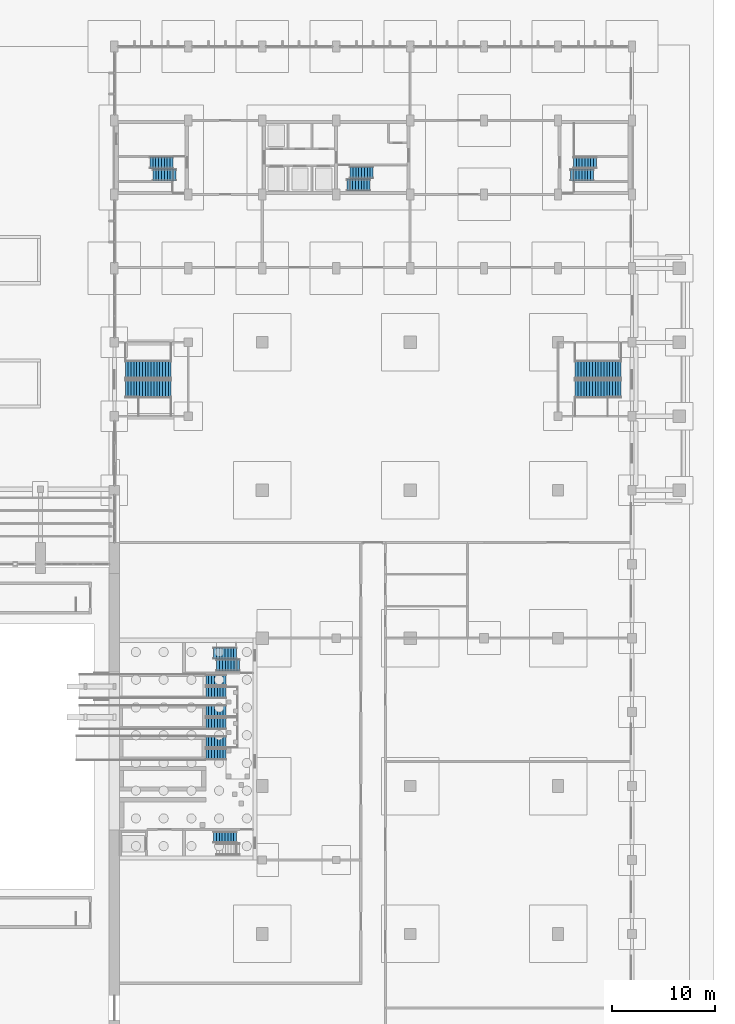
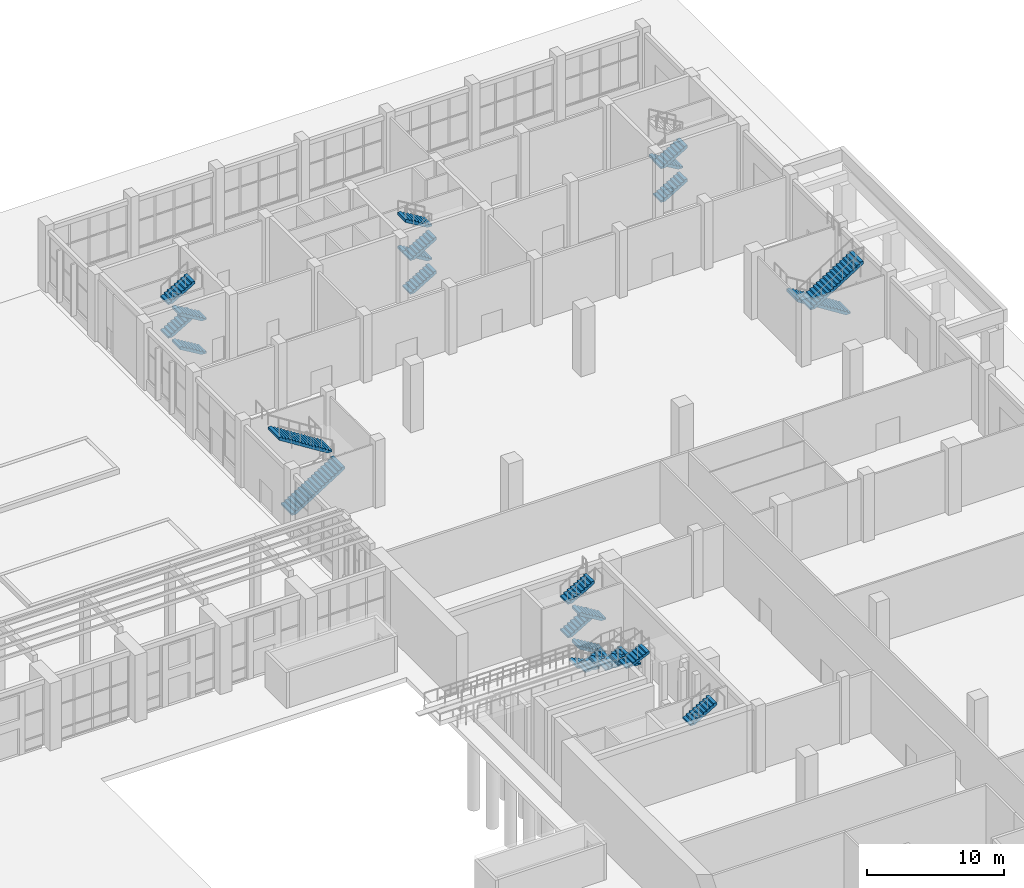
# One storey, part 56 of 70: 26 stair flights, 8 elements without a shape of their own.
"""IFC4 building model written with IfcOpenShell, lengths in metres."""

from ifc_helpers import new_model, si_unit, direction, frame, origin, place, context, subcontext, project, spatial, polyline, outline, extrude, material, type_object, element, aggregate, save


model = new_model("IFC4")

# Units and contexts
model_context = context("Model", 3, precision=1e-05, world=origin(), true_north=direction((0.0, 1.0)))
body_context = subcontext(model_context, "Body", "Model", "MODEL_VIEW")
ifc_project = project(units=[si_unit("LENGTHUNIT", "METRE"), si_unit("AREAUNIT", "SQUARE_METRE"), si_unit("VOLUMEUNIT", "CUBIC_METRE"), si_unit("PLANEANGLEUNIT", "RADIAN"), si_unit("MASSUNIT", "GRAM", prefix="KILO")], contexts=[model_context])

# Site, building, storey
site_placement = place(None, origin())
site = spatial("IfcSite", under=ifc_project, at=site_placement, CompositionType="ELEMENT")
building_placement = place(site_placement, origin())
building = spatial("IfcBuilding", under=site, at=building_placement, Name="Vermilion Court Aquatics Centre", CompositionType="ELEMENT")
storey_placement = place(building_placement, origin())
storey = spatial("IfcBuildingStorey", under=building, at=storey_placement, Name="L00", CompositionType="ELEMENT", Elevation=0.0)

# Stair, stair flight
ifc_material_1 = material(Name="Concrete 5000 psi", Category="concrete")
stair_type_1 = type_object("IfcStairType", Name="Diving Tower stair 1130", PredefinedType="HALF_TURN_STAIR", material=ifc_material_1)
stair_1_placement = place(storey_placement, origin())
stair_1 = element("IfcStair", 1, at=stair_1_placement, inside=storey, type_object=stair_type_1, Name="Exit stair ST-D1 L00", PredefinedType="HALF_TURN_STAIR")
ifc_material_2 = material(Name="Concrete 5000 psi", Category="concrete")
stair_flight_type_1 = type_object("IfcStairFlightType", Name="Diving Tower stair flight 1130", PredefinedType="STRAIGHT", material=ifc_material_2)
stair_flight_1_placement = place(storey_placement, frame((153.659912109375, 38.235107421875, 4.5), z_axis=(0.0, 0.0, 1.0), x_axis=(1.0, 0.0, 0.0)))
stair_flight_1 = element("IfcStairFlight", 2, at=stair_flight_1_placement, type_object=stair_flight_type_1, Name="ST-D1 flight 4", NumberOfRisers=9, NumberOfTreads=8, PredefinedType="STRAIGHT", RiserHeight=0.166667, TreadLength=0.28, context=body_context, shape_type="SweptSolid", body=[
    extrude(outline(polyline([(0.0, 0.0), (0.0, 0.166748046875), (0.280029296875, 0.166748046875), (0.280029296875, 0.333251953125), (0.56005859375, 0.333251953125), (0.56005859375, 0.5), (0.840087890625, 0.5), (0.840087890625, 0.666748046875), (1.1201171875, 0.666748046875), (1.1201171875, 0.833251953125), (1.39990234375, 0.833251953125), (1.39990234375, 1.0), (1.679931640625, 1.0), (1.679931640625, 1.166748046875), (1.9599609375, 1.166748046875), (1.9599609375, 1.333251953125), (2.239990234375, 1.333251953125), (2.239990234375, 1.5), (2.239990234375, 1.1005859375), (0.390869140625, 0.0), (0.0, 0.0)])), frame((0.0, 0.56494140625, 0.0), z_axis=(0.0, -1.0, 0.0), x_axis=(1.0, 0.0, 0.0)), (0.0, 0.0, 1.0), 1.1298828125),
])
aggregate(stair_1, [stair_flight_1])

# Stair, stair flights
stair_2_placement = place(storey_placement, origin())
stair_2 = element("IfcStair", 3, at=stair_2_placement, inside=storey, type_object=stair_type_1, Name="Exit stair ST-D2 L00", PredefinedType="HALF_TURN_STAIR")
stair_flight_2_placement = place(storey_placement, frame((156.199951171875, 54.965087890625, 0.0), z_axis=(0.0, 0.0, 1.0), x_axis=(-1.0, 0.0, 0.0)))
stair_flight_2 = element("IfcStairFlight", 4, at=stair_flight_2_placement, type_object=stair_flight_type_1, Name="ST-D2 flight 1", NumberOfRisers=9, NumberOfTreads=8, PredefinedType="STRAIGHT", RiserHeight=0.166667, TreadLength=0.28, context=body_context, shape_type="SweptSolid", body=[
    extrude(outline(polyline([(0.0, 0.0), (0.0, 0.166748046875), (0.280029296875, 0.166748046875), (0.280029296875, 0.333251953125), (0.56005859375, 0.333251953125), (0.56005859375, 0.5), (0.840087890625, 0.5), (0.840087890625, 0.666748046875), (1.1201171875, 0.666748046875), (1.1201171875, 0.833251953125), (1.39990234375, 0.833251953125), (1.39990234375, 1.0), (1.679931640625, 1.0), (1.679931640625, 1.166748046875), (1.9599609375, 1.166748046875), (1.9599609375, 1.333251953125), (2.239990234375, 1.333251953125), (2.239990234375, 1.5), (2.239990234375, 1.1005859375), (0.390869140625, 0.0), (0.0, 0.0)])), frame((0.0, 0.56494140625, 0.0), z_axis=(0.0, -1.0, 0.0), x_axis=(1.0, 0.0, 0.0)), (0.0, 0.0, 1.0), 1.1298828125),
])
stair_flight_3_placement = place(storey_placement, frame((153.659912109375, 56.135009765625, 1.5), z_axis=(0.0, 0.0, 1.0), x_axis=(1.0, 0.0, 0.0)))
stair_flight_3 = element("IfcStairFlight", 5, at=stair_flight_3_placement, type_object=stair_flight_type_1, Name="ST-D2 flight 2", NumberOfRisers=9, NumberOfTreads=8, PredefinedType="STRAIGHT", RiserHeight=0.166667, TreadLength=0.28, context=body_context, shape_type="SweptSolid", body=[
    extrude(outline(polyline([(0.0, 0.0), (0.0, 0.166748046875), (0.280029296875, 0.166748046875), (0.280029296875, 0.333251953125), (0.56005859375, 0.333251953125), (0.56005859375, 0.5), (0.840087890625, 0.5), (0.840087890625, 0.666748046875), (1.1201171875, 0.666748046875), (1.1201171875, 0.833251953125), (1.39990234375, 0.833251953125), (1.39990234375, 1.0), (1.679931640625, 1.0), (1.679931640625, 1.166748046875), (1.9599609375, 1.166748046875), (1.9599609375, 1.333251953125), (2.239990234375, 1.333251953125), (2.239990234375, 1.5), (2.239990234375, 1.1005859375), (0.390869140625, 0.0), (0.0, 0.0)])), frame((0.0, 0.56494140625, 0.0), z_axis=(0.0, -1.0, 0.0), x_axis=(1.0, 0.0, 0.0)), (0.0, 0.0, 1.0), 1.1298828125),
])
stair_flight_4_placement = place(storey_placement, frame((156.199951171875, 54.965087890625, 3.0), z_axis=(0.0, 0.0, 1.0), x_axis=(-1.0, 0.0, 0.0)))
stair_flight_4 = element("IfcStairFlight", 6, at=stair_flight_4_placement, type_object=stair_flight_type_1, Name="ST-D2 flight 3", NumberOfRisers=9, NumberOfTreads=8, PredefinedType="STRAIGHT", RiserHeight=0.166667, TreadLength=0.28, context=body_context, shape_type="SweptSolid", body=[
    extrude(outline(polyline([(0.0, 0.0), (0.0, 0.166748046875), (0.280029296875, 0.166748046875), (0.280029296875, 0.333251953125), (0.56005859375, 0.333251953125), (0.56005859375, 0.5), (0.840087890625, 0.5), (0.840087890625, 0.666748046875), (1.1201171875, 0.666748046875), (1.1201171875, 0.833251953125), (1.39990234375, 0.833251953125), (1.39990234375, 1.0), (1.679931640625, 1.0), (1.679931640625, 1.166748046875), (1.9599609375, 1.166748046875), (1.9599609375, 1.333251953125), (2.239990234375, 1.333251953125), (2.239990234375, 1.5), (2.239990234375, 1.1005859375), (0.390869140625, 0.0), (0.0, 0.0)])), frame((0.0, 0.56494140625, 0.0), z_axis=(0.0, -1.0, 0.0), x_axis=(1.0, 0.0, 0.0)), (0.0, 0.0, 1.0), 1.1298828125),
])
stair_flight_5_placement = place(storey_placement, frame((153.659912109375, 56.135009765625, 4.5), z_axis=(0.0, 0.0, 1.0), x_axis=(1.0, 0.0, 0.0)))
stair_flight_5 = element("IfcStairFlight", 7, at=stair_flight_5_placement, type_object=stair_flight_type_1, Name="ST-D2 flight 4", NumberOfRisers=9, NumberOfTreads=8, PredefinedType="STRAIGHT", RiserHeight=0.166667, TreadLength=0.28, context=body_context, shape_type="SweptSolid", body=[
    extrude(outline(polyline([(0.0, 0.0), (0.0, 0.166748046875), (0.280029296875, 0.166748046875), (0.280029296875, 0.333251953125), (0.56005859375, 0.333251953125), (0.56005859375, 0.5), (0.840087890625, 0.5), (0.840087890625, 0.666748046875), (1.1201171875, 0.666748046875), (1.1201171875, 0.833251953125), (1.39990234375, 0.833251953125), (1.39990234375, 1.0), (1.679931640625, 1.0), (1.679931640625, 1.166748046875), (1.9599609375, 1.166748046875), (1.9599609375, 1.333251953125), (2.239990234375, 1.333251953125), (2.239990234375, 1.5), (2.239990234375, 1.1005859375), (0.390869140625, 0.0), (0.0, 0.0)])), frame((0.0, 0.56494140625, 0.0), z_axis=(0.0, -1.0, 0.0), x_axis=(1.0, 0.0, 0.0)), (0.0, 0.0, 1.0), 1.1298828125),
])
aggregate(stair_2, [stair_flight_2, stair_flight_3, stair_flight_4, stair_flight_5])

ifc_material_3 = material(Name="Concrete 5000 psi", Category="concrete")
stair_type_2 = type_object("IfcStairType", Name="Hall diving tower entry stair", PredefinedType="HALF_TURN_STAIR", material=ifc_material_3)
stair_3_placement = place(storey_placement, origin())
stair_3 = element("IfcStair", 8, at=stair_3_placement, inside=storey, type_object=stair_type_2, Name="Diving tower stair A", PredefinedType="HALF_TURN_STAIR")
ifc_material_4 = material(Name="Concrete 5000 psi", Category="concrete")
stair_flight_type_2 = type_object("IfcStairFlightType", Name="Hall diving tower flight 8 risers", PredefinedType="STRAIGHT", material=ifc_material_4)
stair_flight_6_placement = place(storey_placement, frame((154.860107421875, 53.5, 0.0), z_axis=(0.0, 0.0, 1.0), x_axis=(-1.0, 0.0, 0.0)))
stair_flight_6 = element("IfcStairFlight", 9, at=stair_flight_6_placement, type_object=stair_flight_type_2, Name="HT5 flight 1", NumberOfRisers=8, NumberOfTreads=7, PredefinedType="STRAIGHT", RiserHeight=0.125, TreadLength=0.28, context=body_context, shape_type="SweptSolid", body=[
    extrude(outline(polyline([(0.0, 0.0), (0.0, 0.125), (0.280029296875, 0.125), (0.280029296875, 0.25), (0.56005859375, 0.25), (0.56005859375, 0.375), (0.840087890625, 0.375), (0.840087890625, 0.5), (1.1201171875, 0.5), (1.1201171875, 0.625), (1.39990234375, 0.625), (1.39990234375, 0.75), (1.679931640625, 0.75), (1.679931640625, 0.875), (1.9599609375, 0.875), (1.9599609375, 1.0), (1.9599609375, 0.677978515625), (0.44140625, 0.0), (0.0, 0.0)])), frame((0.0, 0.574951171875, 0.0), z_axis=(0.0, -1.0, 0.0), x_axis=(1.0, 0.0, 0.0)), (0.0, 0.0, 1.0), 1.14990234375),
])
stair_flight_7_placement = place(storey_placement, frame((152.89990234375, 52.300048828125, 1.0), z_axis=(0.0, 0.0, 1.0), x_axis=(1.0, 0.0, 0.0)))
stair_flight_7 = element("IfcStairFlight", 10, at=stair_flight_7_placement, type_object=stair_flight_type_2, Name="HT5 flight 2", NumberOfRisers=8, NumberOfTreads=7, PredefinedType="STRAIGHT", RiserHeight=0.125, TreadLength=0.28, context=body_context, shape_type="SweptSolid", body=[
    extrude(outline(polyline([(0.0, 0.0), (0.0, 0.125), (0.280029296875, 0.125), (0.280029296875, 0.25), (0.56005859375, 0.25), (0.56005859375, 0.375), (0.840087890625, 0.375), (0.840087890625, 0.5), (1.1201171875, 0.5), (1.1201171875, 0.625), (1.39990234375, 0.625), (1.39990234375, 0.75), (1.679931640625, 0.75), (1.679931640625, 0.875), (1.9599609375, 0.875), (1.9599609375, 1.0), (1.9599609375, 0.677978515625), (0.44140625, 0.0), (0.0, 0.0)])), frame((0.0, 0.574951171875, 0.0), z_axis=(0.0, -1.0, 0.0), x_axis=(1.0, 0.0, 0.0)), (0.0, 0.0, 1.0), 1.14990234375),
])
stair_flight_8_placement = place(storey_placement, frame((154.860107421875, 50.5, 2.0), z_axis=(0.0, 0.0, 1.0), x_axis=(-1.0, 0.0, 0.0)))
stair_flight_8 = element("IfcStairFlight", 11, at=stair_flight_8_placement, type_object=stair_flight_type_2, Name="HT5 flight 3", NumberOfRisers=8, NumberOfTreads=7, PredefinedType="STRAIGHT", RiserHeight=0.125, TreadLength=0.28, context=body_context, shape_type="SweptSolid", body=[
    extrude(outline(polyline([(0.0, 0.0), (0.0, 0.125), (0.280029296875, 0.125), (0.280029296875, 0.25), (0.56005859375, 0.25), (0.56005859375, 0.375), (0.840087890625, 0.375), (0.840087890625, 0.5), (1.1201171875, 0.5), (1.1201171875, 0.625), (1.39990234375, 0.625), (1.39990234375, 0.75), (1.679931640625, 0.75), (1.679931640625, 0.875), (1.9599609375, 0.875), (1.9599609375, 1.0), (1.9599609375, 0.677978515625), (0.44140625, 0.0), (0.0, 0.0)])), frame((0.0, 0.574951171875, 0.0), z_axis=(0.0, -1.0, 0.0), x_axis=(1.0, 0.0, 0.0)), (0.0, 0.0, 1.0), 1.14990234375),
])
stair_flight_9_placement = place(storey_placement, frame((152.89990234375, 49.300048828125, 3.0), z_axis=(0.0, 0.0, 1.0), x_axis=(1.0, 0.0, 0.0)))
stair_flight_9 = element("IfcStairFlight", 12, at=stair_flight_9_placement, type_object=stair_flight_type_2, Name="HT5 flight 4", NumberOfRisers=8, NumberOfTreads=7, PredefinedType="STRAIGHT", RiserHeight=0.125, TreadLength=0.28, context=body_context, shape_type="SweptSolid", body=[
    extrude(outline(polyline([(0.0, 0.0), (0.0, 0.125), (0.280029296875, 0.125), (0.280029296875, 0.25), (0.56005859375, 0.25), (0.56005859375, 0.375), (0.840087890625, 0.375), (0.840087890625, 0.5), (1.1201171875, 0.5), (1.1201171875, 0.625), (1.39990234375, 0.625), (1.39990234375, 0.75), (1.679931640625, 0.75), (1.679931640625, 0.875), (1.9599609375, 0.875), (1.9599609375, 1.0), (1.9599609375, 0.677978515625), (0.44140625, 0.0), (0.0, 0.0)])), frame((0.0, 0.574951171875, 0.0), z_axis=(0.0, -1.0, 0.0), x_axis=(1.0, 0.0, 0.0)), (0.0, 0.0, 1.0), 1.14990234375),
])
stair_flight_10_placement = place(storey_placement, frame((154.860107421875, 47.5, 4.0), z_axis=(0.0, 0.0, 1.0), x_axis=(-1.0, 0.0, 0.0)))
stair_flight_10 = element("IfcStairFlight", 13, at=stair_flight_10_placement, type_object=stair_flight_type_2, Name="HT5 flight 5", NumberOfRisers=8, NumberOfTreads=7, PredefinedType="STRAIGHT", RiserHeight=0.125, TreadLength=0.28, context=body_context, shape_type="SweptSolid", body=[
    extrude(outline(polyline([(0.0, 0.0), (0.0, 0.125), (0.280029296875, 0.125), (0.280029296875, 0.25), (0.56005859375, 0.25), (0.56005859375, 0.375), (0.840087890625, 0.375), (0.840087890625, 0.5), (1.1201171875, 0.5), (1.1201171875, 0.625), (1.39990234375, 0.625), (1.39990234375, 0.75), (1.679931640625, 0.75), (1.679931640625, 0.875), (1.9599609375, 0.875), (1.9599609375, 1.0), (1.9599609375, 0.677978515625), (0.44140625, 0.0), (0.0, 0.0)])), frame((0.0, 0.574951171875, 0.0), z_axis=(0.0, -1.0, 0.0), x_axis=(1.0, 0.0, 0.0)), (0.0, 0.0, 1.0), 1.14990234375),
])
stair_flight_11_placement = place(storey_placement, frame((152.89990234375, 46.300048828125, 5.0), z_axis=(0.0, 0.0, 1.0), x_axis=(1.0, 0.0, 0.0)))
stair_flight_11 = element("IfcStairFlight", 14, at=stair_flight_11_placement, type_object=stair_flight_type_2, Name="HT5 flight 6", NumberOfRisers=8, NumberOfTreads=7, PredefinedType="STRAIGHT", RiserHeight=0.125, TreadLength=0.28, context=body_context, shape_type="SweptSolid", body=[
    extrude(outline(polyline([(0.0, 0.0), (0.0, 0.125), (0.280029296875, 0.125), (0.280029296875, 0.25), (0.56005859375, 0.25), (0.56005859375, 0.375), (0.840087890625, 0.375), (0.840087890625, 0.5), (1.1201171875, 0.5), (1.1201171875, 0.625), (1.39990234375, 0.625), (1.39990234375, 0.75), (1.679931640625, 0.75), (1.679931640625, 0.875), (1.9599609375, 0.875), (1.9599609375, 1.0), (1.9599609375, 0.677978515625), (0.44140625, 0.0), (0.0, 0.0)])), frame((0.0, 0.574951171875, 0.0), z_axis=(0.0, -1.0, 0.0), x_axis=(1.0, 0.0, 0.0)), (0.0, 0.0, 1.0), 1.14990234375),
])
aggregate(stair_3, [stair_flight_6, stair_flight_7, stair_flight_8, stair_flight_9, stair_flight_10, stair_flight_11])

ifc_material_5 = material(Name="Concrete 5000 psi", Category="concrete")
stair_type_3 = type_object("IfcStairType", Name="North block exit stair 1130", PredefinedType="HALF_TURN_STAIR", material=ifc_material_5)
stair_4_placement = place(storey_placement, origin())
stair_4 = element("IfcStair", 15, at=stair_4_placement, inside=storey, type_object=stair_type_3, Name="Exit stair ST-T1 L00", PredefinedType="HALF_TURN_STAIR")
ifc_material_6 = material(Name="Concrete 5000 psi", Category="concrete")
stair_flight_type_3 = type_object("IfcStairFlightType", Name="North block stair flight 1130", PredefinedType="STRAIGHT", material=ifc_material_6)
stair_flight_12_placement = place(storey_placement, frame((150.0, 102.695068359375, 0.0), z_axis=(0.0, 0.0, 1.0), x_axis=(-1.0, 0.0, 0.0)))
stair_flight_12 = element("IfcStairFlight", 16, at=stair_flight_12_placement, type_object=stair_flight_type_3, Name="ST-T1 flight 1", NumberOfRisers=9, NumberOfTreads=8, PredefinedType="STRAIGHT", RiserHeight=0.166667, TreadLength=0.28, context=body_context, shape_type="SweptSolid", body=[
    extrude(outline(polyline([(0.0, 0.0), (0.0, 0.166748046875), (0.280029296875, 0.166748046875), (0.280029296875, 0.333251953125), (0.56005859375, 0.333251953125), (0.56005859375, 0.5), (0.840087890625, 0.5), (0.840087890625, 0.666748046875), (1.1201171875, 0.666748046875), (1.1201171875, 0.833251953125), (1.39990234375, 0.833251953125), (1.39990234375, 1.0), (1.679931640625, 1.0), (1.679931640625, 1.166748046875), (1.9599609375, 1.166748046875), (1.9599609375, 1.333251953125), (2.239990234375, 1.333251953125), (2.239990234375, 1.5), (2.239990234375, 1.1005859375), (0.390869140625, 0.0), (0.0, 0.0)])), frame((0.0, 0.56494140625, 0.0), z_axis=(0.0, -1.0, 0.0), x_axis=(1.0, 0.0, 0.0)), (0.0, 0.0, 1.0), 1.1298828125),
])
stair_flight_13_placement = place(storey_placement, frame((147.4599609375, 103.864990234375, 1.5), z_axis=(0.0, 0.0, 1.0), x_axis=(1.0, 0.0, 0.0)))
stair_flight_13 = element("IfcStairFlight", 17, at=stair_flight_13_placement, type_object=stair_flight_type_3, Name="ST-T1 flight 2", NumberOfRisers=9, NumberOfTreads=8, PredefinedType="STRAIGHT", RiserHeight=0.166667, TreadLength=0.28, context=body_context, shape_type="SweptSolid", body=[
    extrude(outline(polyline([(0.0, 0.0), (0.0, 0.166748046875), (0.280029296875, 0.166748046875), (0.280029296875, 0.333251953125), (0.56005859375, 0.333251953125), (0.56005859375, 0.5), (0.840087890625, 0.5), (0.840087890625, 0.666748046875), (1.1201171875, 0.666748046875), (1.1201171875, 0.833251953125), (1.39990234375, 0.833251953125), (1.39990234375, 1.0), (1.679931640625, 1.0), (1.679931640625, 1.166748046875), (1.9599609375, 1.166748046875), (1.9599609375, 1.333251953125), (2.239990234375, 1.333251953125), (2.239990234375, 1.5), (2.239990234375, 1.1005859375), (0.390869140625, 0.0), (0.0, 0.0)])), frame((0.0, 0.56494140625, 0.0), z_axis=(0.0, -1.0, 0.0), x_axis=(1.0, 0.0, 0.0)), (0.0, 0.0, 1.0), 1.1298828125),
])
stair_flight_14_placement = place(storey_placement, frame((150.0, 102.695068359375, 3.0), z_axis=(0.0, 0.0, 1.0), x_axis=(-1.0, 0.0, 0.0)))
stair_flight_14 = element("IfcStairFlight", 18, at=stair_flight_14_placement, type_object=stair_flight_type_3, Name="ST-T1 flight 3", NumberOfRisers=9, NumberOfTreads=8, PredefinedType="STRAIGHT", RiserHeight=0.166667, TreadLength=0.28, context=body_context, shape_type="SweptSolid", body=[
    extrude(outline(polyline([(0.0, 0.0), (0.0, 0.166748046875), (0.280029296875, 0.166748046875), (0.280029296875, 0.333251953125), (0.56005859375, 0.333251953125), (0.56005859375, 0.5), (0.840087890625, 0.5), (0.840087890625, 0.666748046875), (1.1201171875, 0.666748046875), (1.1201171875, 0.833251953125), (1.39990234375, 0.833251953125), (1.39990234375, 1.0), (1.679931640625, 1.0), (1.679931640625, 1.166748046875), (1.9599609375, 1.166748046875), (1.9599609375, 1.333251953125), (2.239990234375, 1.333251953125), (2.239990234375, 1.5), (2.239990234375, 1.1005859375), (0.390869140625, 0.0), (0.0, 0.0)])), frame((0.0, 0.56494140625, 0.0), z_axis=(0.0, -1.0, 0.0), x_axis=(1.0, 0.0, 0.0)), (0.0, 0.0, 1.0), 1.1298828125),
])
stair_flight_15_placement = place(storey_placement, frame((147.4599609375, 103.864990234375, 4.5), z_axis=(0.0, 0.0, 1.0), x_axis=(1.0, 0.0, 0.0)))
stair_flight_15 = element("IfcStairFlight", 19, at=stair_flight_15_placement, type_object=stair_flight_type_3, Name="ST-T1 flight 4", NumberOfRisers=9, NumberOfTreads=8, PredefinedType="STRAIGHT", RiserHeight=0.166667, TreadLength=0.28, context=body_context, shape_type="SweptSolid", body=[
    extrude(outline(polyline([(0.0, 0.0), (0.0, 0.166748046875), (0.280029296875, 0.166748046875), (0.280029296875, 0.333251953125), (0.56005859375, 0.333251953125), (0.56005859375, 0.5), (0.840087890625, 0.5), (0.840087890625, 0.666748046875), (1.1201171875, 0.666748046875), (1.1201171875, 0.833251953125), (1.39990234375, 0.833251953125), (1.39990234375, 1.0), (1.679931640625, 1.0), (1.679931640625, 1.166748046875), (1.9599609375, 1.166748046875), (1.9599609375, 1.333251953125), (2.239990234375, 1.333251953125), (2.239990234375, 1.5), (2.239990234375, 1.1005859375), (0.390869140625, 0.0), (0.0, 0.0)])), frame((0.0, 0.56494140625, 0.0), z_axis=(0.0, -1.0, 0.0), x_axis=(1.0, 0.0, 0.0)), (0.0, 0.0, 1.0), 1.1298828125),
])
aggregate(stair_4, [stair_flight_12, stair_flight_13, stair_flight_14, stair_flight_15])

stair_5_placement = place(storey_placement, origin())
stair_5 = element("IfcStair", 20, at=stair_5_placement, inside=storey, type_object=stair_type_3, Name="Exit stair ST-T2 L00", PredefinedType="HALF_TURN_STAIR")
stair_flight_16_placement = place(storey_placement, frame((188.39990234375, 102.695068359375, 0.0), z_axis=(0.0, 0.0, 1.0), x_axis=(1.0, 0.0, 0.0)))
stair_flight_16 = element("IfcStairFlight", 21, at=stair_flight_16_placement, type_object=stair_flight_type_3, Name="ST-T2 flight 1", NumberOfRisers=9, NumberOfTreads=8, PredefinedType="STRAIGHT", RiserHeight=0.166667, TreadLength=0.28, context=body_context, shape_type="SweptSolid", body=[
    extrude(outline(polyline([(0.0, 0.0), (0.0, 0.166748046875), (0.280029296875, 0.166748046875), (0.280029296875, 0.333251953125), (0.56005859375, 0.333251953125), (0.56005859375, 0.5), (0.840087890625, 0.5), (0.840087890625, 0.666748046875), (1.1201171875, 0.666748046875), (1.1201171875, 0.833251953125), (1.39990234375, 0.833251953125), (1.39990234375, 1.0), (1.679931640625, 1.0), (1.679931640625, 1.166748046875), (1.9599609375, 1.166748046875), (1.9599609375, 1.333251953125), (2.239990234375, 1.333251953125), (2.239990234375, 1.5), (2.239990234375, 1.1005859375), (0.390869140625, 0.0), (0.0, 0.0)])), frame((0.0, 0.56494140625, 0.0), z_axis=(0.0, -1.0, 0.0), x_axis=(1.0, 0.0, 0.0)), (0.0, 0.0, 1.0), 1.1298828125),
])
stair_flight_17_placement = place(storey_placement, frame((190.93994140625, 103.864990234375, 1.5), z_axis=(0.0, 0.0, 1.0), x_axis=(-1.0, 0.0, 0.0)))
stair_flight_17 = element("IfcStairFlight", 22, at=stair_flight_17_placement, type_object=stair_flight_type_3, Name="ST-T2 flight 2", NumberOfRisers=9, NumberOfTreads=8, PredefinedType="STRAIGHT", RiserHeight=0.166667, TreadLength=0.28, context=body_context, shape_type="SweptSolid", body=[
    extrude(outline(polyline([(0.0, 0.0), (0.0, 0.166748046875), (0.280029296875, 0.166748046875), (0.280029296875, 0.333251953125), (0.56005859375, 0.333251953125), (0.56005859375, 0.5), (0.840087890625, 0.5), (0.840087890625, 0.666748046875), (1.1201171875, 0.666748046875), (1.1201171875, 0.833251953125), (1.39990234375, 0.833251953125), (1.39990234375, 1.0), (1.679931640625, 1.0), (1.679931640625, 1.166748046875), (1.9599609375, 1.166748046875), (1.9599609375, 1.333251953125), (2.239990234375, 1.333251953125), (2.239990234375, 1.5), (2.239990234375, 1.1005859375), (0.390869140625, 0.0), (0.0, 0.0)])), frame((0.0, 0.56494140625, 0.0), z_axis=(0.0, -1.0, 0.0), x_axis=(1.0, 0.0, 0.0)), (0.0, 0.0, 1.0), 1.1298828125),
])
stair_flight_18_placement = place(storey_placement, frame((188.39990234375, 102.695068359375, 3.0), z_axis=(0.0, 0.0, 1.0), x_axis=(1.0, 0.0, 0.0)))
stair_flight_18 = element("IfcStairFlight", 23, at=stair_flight_18_placement, type_object=stair_flight_type_3, Name="ST-T2 flight 3", NumberOfRisers=9, NumberOfTreads=8, PredefinedType="STRAIGHT", RiserHeight=0.166667, TreadLength=0.28, context=body_context, shape_type="SweptSolid", body=[
    extrude(outline(polyline([(0.0, 0.0), (0.0, 0.166748046875), (0.280029296875, 0.166748046875), (0.280029296875, 0.333251953125), (0.56005859375, 0.333251953125), (0.56005859375, 0.5), (0.840087890625, 0.5), (0.840087890625, 0.666748046875), (1.1201171875, 0.666748046875), (1.1201171875, 0.833251953125), (1.39990234375, 0.833251953125), (1.39990234375, 1.0), (1.679931640625, 1.0), (1.679931640625, 1.166748046875), (1.9599609375, 1.166748046875), (1.9599609375, 1.333251953125), (2.239990234375, 1.333251953125), (2.239990234375, 1.5), (2.239990234375, 1.1005859375), (0.390869140625, 0.0), (0.0, 0.0)])), frame((0.0, 0.56494140625, 0.0), z_axis=(0.0, -1.0, 0.0), x_axis=(1.0, 0.0, 0.0)), (0.0, 0.0, 1.0), 1.1298828125),
])
aggregate(stair_5, [stair_flight_16, stair_flight_17, stair_flight_18])

stair_6_placement = place(storey_placement, origin())
stair_6 = element("IfcStair", 24, at=stair_6_placement, inside=storey, type_object=stair_type_3, Name="Exit stair ST-T3 L00", PredefinedType="HALF_TURN_STAIR")
stair_flight_19_placement = place(storey_placement, frame((166.64990234375, 101.72509765625, 0.0), z_axis=(0.0, 0.0, 1.0), x_axis=(1.0, 0.0, 0.0)))
stair_flight_19 = element("IfcStairFlight", 25, at=stair_flight_19_placement, type_object=stair_flight_type_3, Name="ST-T3 flight 1", NumberOfRisers=9, NumberOfTreads=8, PredefinedType="STRAIGHT", RiserHeight=0.166667, TreadLength=0.28, context=body_context, shape_type="SweptSolid", body=[
    extrude(outline(polyline([(0.0, 0.0), (0.0, 0.166748046875), (0.280029296875, 0.166748046875), (0.280029296875, 0.333251953125), (0.56005859375, 0.333251953125), (0.56005859375, 0.5), (0.840087890625, 0.5), (0.840087890625, 0.666748046875), (1.1201171875, 0.666748046875), (1.1201171875, 0.833251953125), (1.39990234375, 0.833251953125), (1.39990234375, 1.0), (1.679931640625, 1.0), (1.679931640625, 1.166748046875), (1.9599609375, 1.166748046875), (1.9599609375, 1.333251953125), (2.239990234375, 1.333251953125), (2.239990234375, 1.5), (2.239990234375, 1.1005859375), (0.390869140625, 0.0), (0.0, 0.0)])), frame((0.0, 0.56494140625, 0.0), z_axis=(0.0, -1.0, 0.0), x_axis=(1.0, 0.0, 0.0)), (0.0, 0.0, 1.0), 1.1298828125),
])
stair_flight_20_placement = place(storey_placement, frame((169.18994140625, 102.925048828125, 1.5), z_axis=(0.0, 0.0, 1.0), x_axis=(-1.0, 0.0, 0.0)))
stair_flight_20 = element("IfcStairFlight", 26, at=stair_flight_20_placement, type_object=stair_flight_type_3, Name="ST-T3 flight 2", NumberOfRisers=9, NumberOfTreads=8, PredefinedType="STRAIGHT", RiserHeight=0.166667, TreadLength=0.28, context=body_context, shape_type="SweptSolid", body=[
    extrude(outline(polyline([(0.0, 0.0), (0.0, 0.166748046875), (0.280029296875, 0.166748046875), (0.280029296875, 0.333251953125), (0.56005859375, 0.333251953125), (0.56005859375, 0.5), (0.840087890625, 0.5), (0.840087890625, 0.666748046875), (1.1201171875, 0.666748046875), (1.1201171875, 0.833251953125), (1.39990234375, 0.833251953125), (1.39990234375, 1.0), (1.679931640625, 1.0), (1.679931640625, 1.166748046875), (1.9599609375, 1.166748046875), (1.9599609375, 1.333251953125), (2.239990234375, 1.333251953125), (2.239990234375, 1.5), (2.239990234375, 1.1005859375), (0.390869140625, 0.0), (0.0, 0.0)])), frame((0.0, 0.56494140625, 0.0), z_axis=(0.0, -1.0, 0.0), x_axis=(1.0, 0.0, 0.0)), (0.0, 0.0, 1.0), 1.1298828125),
])
stair_flight_21_placement = place(storey_placement, frame((166.64990234375, 101.72509765625, 3.0), z_axis=(0.0, 0.0, 1.0), x_axis=(1.0, 0.0, 0.0)))
stair_flight_21 = element("IfcStairFlight", 27, at=stair_flight_21_placement, type_object=stair_flight_type_3, Name="ST-T3 flight 3", NumberOfRisers=9, NumberOfTreads=8, PredefinedType="STRAIGHT", RiserHeight=0.166667, TreadLength=0.28, context=body_context, shape_type="SweptSolid", body=[
    extrude(outline(polyline([(0.0, 0.0), (0.0, 0.166748046875), (0.280029296875, 0.166748046875), (0.280029296875, 0.333251953125), (0.56005859375, 0.333251953125), (0.56005859375, 0.5), (0.840087890625, 0.5), (0.840087890625, 0.666748046875), (1.1201171875, 0.666748046875), (1.1201171875, 0.833251953125), (1.39990234375, 0.833251953125), (1.39990234375, 1.0), (1.679931640625, 1.0), (1.679931640625, 1.166748046875), (1.9599609375, 1.166748046875), (1.9599609375, 1.333251953125), (2.239990234375, 1.333251953125), (2.239990234375, 1.5), (2.239990234375, 1.1005859375), (0.390869140625, 0.0), (0.0, 0.0)])), frame((0.0, 0.56494140625, 0.0), z_axis=(0.0, -1.0, 0.0), x_axis=(1.0, 0.0, 0.0)), (0.0, 0.0, 1.0), 1.1298828125),
])
stair_flight_22_placement = place(storey_placement, frame((169.18994140625, 102.925048828125, 4.5), z_axis=(0.0, 0.0, 1.0), x_axis=(-1.0, 0.0, 0.0)))
stair_flight_22 = element("IfcStairFlight", 28, at=stair_flight_22_placement, type_object=stair_flight_type_3, Name="ST-T3 flight 4", NumberOfRisers=9, NumberOfTreads=8, PredefinedType="STRAIGHT", RiserHeight=0.166667, TreadLength=0.28, context=body_context, shape_type="SweptSolid", body=[
    extrude(outline(polyline([(0.0, 0.0), (0.0, 0.166748046875), (0.280029296875, 0.166748046875), (0.280029296875, 0.333251953125), (0.56005859375, 0.333251953125), (0.56005859375, 0.5), (0.840087890625, 0.5), (0.840087890625, 0.666748046875), (1.1201171875, 0.666748046875), (1.1201171875, 0.833251953125), (1.39990234375, 0.833251953125), (1.39990234375, 1.0), (1.679931640625, 1.0), (1.679931640625, 1.166748046875), (1.9599609375, 1.166748046875), (1.9599609375, 1.333251953125), (2.239990234375, 1.333251953125), (2.239990234375, 1.5), (2.239990234375, 1.1005859375), (0.390869140625, 0.0), (0.0, 0.0)])), frame((0.0, 0.56494140625, 0.0), z_axis=(0.0, -1.0, 0.0), x_axis=(1.0, 0.0, 0.0)), (0.0, 0.0, 1.0), 1.1298828125),
])
aggregate(stair_6, [stair_flight_19, stair_flight_20, stair_flight_21, stair_flight_22])

ifc_material_7 = material(Name="Concrete 5000 psi", Category="concrete")
stair_type_4 = type_object("IfcStairType", Name="Podium exit stair 1600 clear, two flights", PredefinedType="TWO_STRAIGHT_RUN_STAIR", material=ifc_material_7)
stair_7_placement = place(storey_placement, origin())
stair_7 = element("IfcStair", 29, at=stair_7_placement, inside=storey, type_object=stair_type_4, Name="Exit stair P3", PredefinedType="TWO_STRAIGHT_RUN_STAIR")
ifc_material_8 = material(Name="Concrete 5000 psi", Category="concrete")
stair_flight_type_4 = type_object("IfcStairFlightType", Name="Podium exit stair flight 1600", PredefinedType="STRAIGHT", material=ifc_material_8)
stair_flight_23_placement = place(storey_placement, frame((145.0625, 81.860107421875, 0.0), z_axis=(0.0, 0.0, 1.0), x_axis=(1.0, 0.0, 0.0)))
stair_flight_23 = element("IfcStairFlight", 30, at=stair_flight_23_placement, type_object=stair_flight_type_4, Name="ST-P3 flight 1", NumberOfRisers=17, NumberOfTreads=16, PredefinedType="STRAIGHT", RiserHeight=0.176470588, TreadLength=0.2795, context=body_context, shape_type="SweptSolid", body=[
    extrude(outline(polyline([(0.0, 0.0), (0.0, 0.176513671875), (0.279541015625, 0.176513671875), (0.279541015625, 0.35302734375), (0.55908203125, 0.35302734375), (0.55908203125, 0.529296875), (0.83837890625, 0.529296875), (0.83837890625, 0.705810546875), (1.117919921875, 0.705810546875), (1.117919921875, 0.88232421875), (1.3974609375, 0.88232421875), (1.3974609375, 1.058837890625), (1.677001953125, 1.058837890625), (1.677001953125, 1.2353515625), (1.95654296875, 1.2353515625), (1.95654296875, 1.411865234375), (2.236083984375, 1.411865234375), (2.236083984375, 1.588134765625), (2.515380859375, 1.588134765625), (2.515380859375, 1.7646484375), (2.794921875, 1.7646484375), (2.794921875, 1.941162109375), (3.074462890625, 1.941162109375), (3.074462890625, 2.11767578125), (3.35400390625, 2.11767578125), (3.35400390625, 2.294189453125), (3.633544921875, 2.294189453125), (3.633544921875, 2.470703125), (3.9130859375, 2.470703125), (3.9130859375, 2.64697265625), (4.1923828125, 2.64697265625), (4.1923828125, 2.823486328125), (4.471923828125, 2.823486328125), (4.471923828125, 3.0), (4.471923828125, 2.587158203125), (0.37451171875, 0.0), (0.0, 0.0)])), frame((0.0, 0.800048828125, 0.0), z_axis=(0.0, -1.0, 0.0), x_axis=(1.0, 0.0, 0.0)), (0.0, 0.0, 1.0), 1.60009765625),
])
stair_flight_24_placement = place(storey_placement, frame((149.534423828125, 83.739990234375, 3.0), z_axis=(0.0, 0.0, 1.0), x_axis=(-1.0, 0.0, 0.0)))
stair_flight_24 = element("IfcStairFlight", 31, at=stair_flight_24_placement, type_object=stair_flight_type_4, Name="ST-P3 flight 2", NumberOfRisers=17, NumberOfTreads=16, PredefinedType="STRAIGHT", RiserHeight=0.176470588, TreadLength=0.2795, context=body_context, shape_type="SweptSolid", body=[
    extrude(outline(polyline([(0.0, 0.0), (0.0, 0.176513671875), (0.279541015625, 0.176513671875), (0.279541015625, 0.35302734375), (0.55908203125, 0.35302734375), (0.55908203125, 0.529296875), (0.83837890625, 0.529296875), (0.83837890625, 0.705810546875), (1.117919921875, 0.705810546875), (1.117919921875, 0.88232421875), (1.3974609375, 0.88232421875), (1.3974609375, 1.058837890625), (1.677001953125, 1.058837890625), (1.677001953125, 1.2353515625), (1.95654296875, 1.2353515625), (1.95654296875, 1.411865234375), (2.236083984375, 1.411865234375), (2.236083984375, 1.588134765625), (2.515380859375, 1.588134765625), (2.515380859375, 1.7646484375), (2.794921875, 1.7646484375), (2.794921875, 1.941162109375), (3.074462890625, 1.941162109375), (3.074462890625, 2.11767578125), (3.35400390625, 2.11767578125), (3.35400390625, 2.294189453125), (3.633544921875, 2.294189453125), (3.633544921875, 2.470703125), (3.9130859375, 2.470703125), (3.9130859375, 2.64697265625), (4.1923828125, 2.64697265625), (4.1923828125, 2.823486328125), (4.471923828125, 2.823486328125), (4.471923828125, 3.0), (4.471923828125, 2.587158203125), (0.37451171875, 0.0), (0.0, 0.0)])), frame((0.0, 0.800048828125, 0.0), z_axis=(0.0, -1.0, 0.0), x_axis=(1.0, 0.0, 0.0)), (0.0, 0.0, 1.0), 1.60009765625),
])
aggregate(stair_7, [stair_flight_23, stair_flight_24])

stair_8_placement = place(storey_placement, origin())
stair_8 = element("IfcStair", 32, at=stair_8_placement, inside=storey, type_object=stair_type_4, Name="Exit stair P4", PredefinedType="TWO_STRAIGHT_RUN_STAIR")
stair_flight_25_placement = place(storey_placement, frame((193.33740234375, 83.739990234375, 0.0), z_axis=(0.0, 0.0, 1.0), x_axis=(-1.0, 0.0, 0.0)))
stair_flight_25 = element("IfcStairFlight", 33, at=stair_flight_25_placement, type_object=stair_flight_type_4, Name="ST-P4 flight 1", NumberOfRisers=17, NumberOfTreads=16, PredefinedType="STRAIGHT", RiserHeight=0.176470588, TreadLength=0.2795, context=body_context, shape_type="SweptSolid", body=[
    extrude(outline(polyline([(0.0, 0.0), (0.0, 0.176513671875), (0.279541015625, 0.176513671875), (0.279541015625, 0.35302734375), (0.55908203125, 0.35302734375), (0.55908203125, 0.529296875), (0.83837890625, 0.529296875), (0.83837890625, 0.705810546875), (1.117919921875, 0.705810546875), (1.117919921875, 0.88232421875), (1.3974609375, 0.88232421875), (1.3974609375, 1.058837890625), (1.677001953125, 1.058837890625), (1.677001953125, 1.2353515625), (1.95654296875, 1.2353515625), (1.95654296875, 1.411865234375), (2.236083984375, 1.411865234375), (2.236083984375, 1.588134765625), (2.515380859375, 1.588134765625), (2.515380859375, 1.7646484375), (2.794921875, 1.7646484375), (2.794921875, 1.941162109375), (3.074462890625, 1.941162109375), (3.074462890625, 2.11767578125), (3.35400390625, 2.11767578125), (3.35400390625, 2.294189453125), (3.633544921875, 2.294189453125), (3.633544921875, 2.470703125), (3.9130859375, 2.470703125), (3.9130859375, 2.64697265625), (4.1923828125, 2.64697265625), (4.1923828125, 2.823486328125), (4.471923828125, 2.823486328125), (4.471923828125, 3.0), (4.471923828125, 2.587158203125), (0.37451171875, 0.0), (0.0, 0.0)])), frame((0.0, 0.800048828125, 0.0), z_axis=(0.0, -1.0, 0.0), x_axis=(1.0, 0.0, 0.0)), (0.0, 0.0, 1.0), 1.60009765625),
])
stair_flight_26_placement = place(storey_placement, frame((188.865478515625, 81.860107421875, 3.0), z_axis=(0.0, 0.0, 1.0), x_axis=(1.0, 0.0, 0.0)))
stair_flight_26 = element("IfcStairFlight", 34, at=stair_flight_26_placement, type_object=stair_flight_type_4, Name="ST-P4 flight 2", NumberOfRisers=17, NumberOfTreads=16, PredefinedType="STRAIGHT", RiserHeight=0.176470588, TreadLength=0.2795, context=body_context, shape_type="SweptSolid", body=[
    extrude(outline(polyline([(0.0, 0.0), (0.0, 0.176513671875), (0.279541015625, 0.176513671875), (0.279541015625, 0.35302734375), (0.55908203125, 0.35302734375), (0.55908203125, 0.529296875), (0.83837890625, 0.529296875), (0.83837890625, 0.705810546875), (1.117919921875, 0.705810546875), (1.117919921875, 0.88232421875), (1.3974609375, 0.88232421875), (1.3974609375, 1.058837890625), (1.677001953125, 1.058837890625), (1.677001953125, 1.2353515625), (1.95654296875, 1.2353515625), (1.95654296875, 1.411865234375), (2.236083984375, 1.411865234375), (2.236083984375, 1.588134765625), (2.515380859375, 1.588134765625), (2.515380859375, 1.7646484375), (2.794921875, 1.7646484375), (2.794921875, 1.941162109375), (3.074462890625, 1.941162109375), (3.074462890625, 2.11767578125), (3.35400390625, 2.11767578125), (3.35400390625, 2.294189453125), (3.633544921875, 2.294189453125), (3.633544921875, 2.470703125), (3.9130859375, 2.470703125), (3.9130859375, 2.64697265625), (4.1923828125, 2.64697265625), (4.1923828125, 2.823486328125), (4.471923828125, 2.823486328125), (4.471923828125, 3.0), (4.471923828125, 2.587158203125), (0.37451171875, 0.0), (0.0, 0.0)])), frame((0.0, 0.800048828125, 0.0), z_axis=(0.0, -1.0, 0.0), x_axis=(1.0, 0.0, 0.0)), (0.0, 0.0, 1.0), 1.60009765625),
])
aggregate(stair_8, [stair_flight_25, stair_flight_26])

save(model, "model.ifc")
